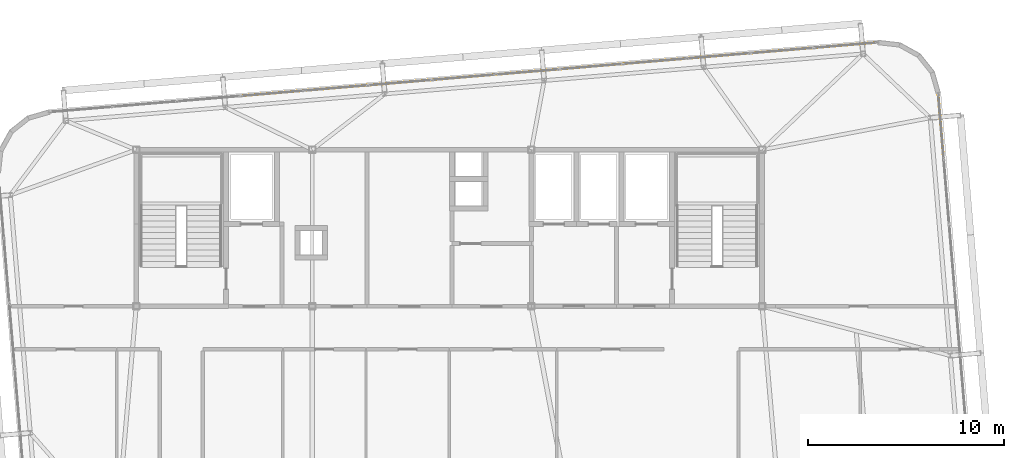
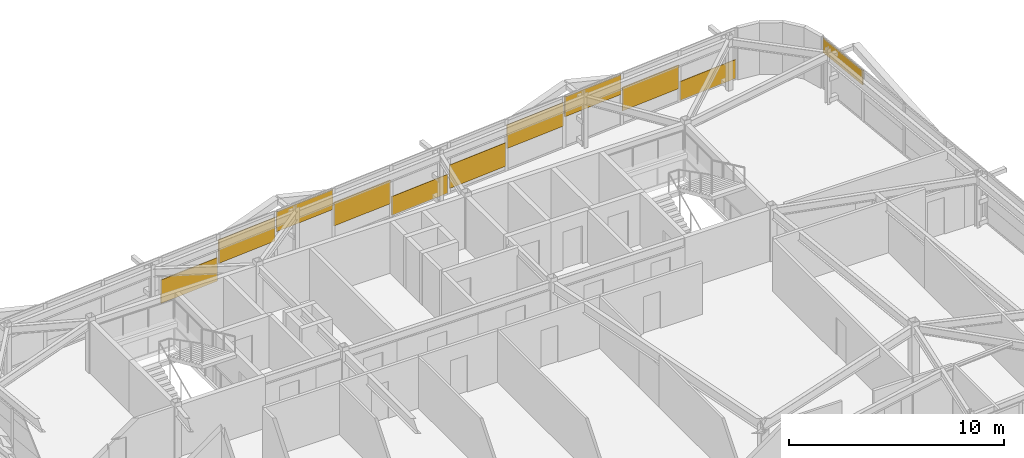
# One storey, part 46 of 46: 11 coverings.
"""IFC4 building model written with IfcOpenShell, lengths in metres."""

from ifc_helpers import new_model, si_unit, direction, frame, origin, origin_2d, place, context, subcontext, project, spatial, rectangle, extrude, source, transform, mapped, material, layer, layer_set, type_object, element, save


model = new_model("IFC4")

# Units and contexts
model_context = context("Model", 3, precision=1e-05, world=origin(), true_north=direction((0.0, 1.0)))
body_context = subcontext(model_context, "Body", "Model", "MODEL_VIEW")
ifc_project = project(units=[si_unit("LENGTHUNIT", "METRE"), si_unit("AREAUNIT", "SQUARE_METRE"), si_unit("VOLUMEUNIT", "CUBIC_METRE"), si_unit("PLANEANGLEUNIT", "RADIAN"), si_unit("MASSUNIT", "GRAM", prefix="KILO")], contexts=[model_context])

# Site, building, storey
site_placement = place(None, origin())
site = spatial("IfcSite", under=ifc_project, at=site_placement, CompositionType="ELEMENT")
building_placement = place(site_placement, origin())
building = spatial("IfcBuilding", under=site, at=building_placement, Name="Taldren Reach Tower", CompositionType="ELEMENT")
storey_placement = place(building_placement, frame((0.0, 0.0, 194.60009765625)))
storey = spatial("IfcBuildingStorey", under=building, at=storey_placement, Name="L59", CompositionType="ELEMENT", Elevation=194.60009765625)

# Coverings
ifc_material = material(Name="Pale Champagne Fluoropolymer Aluminium Spandrel Cladding", Category="aluminium")
ifc_layer = layer(ifc_material, 0.0439453125)
ifc_layer_set = layer_set([ifc_layer], Name="Pale Champagne Fluoropolymer Aluminium Spandrel Cladding")
covering_type = type_object("IfcCoveringType", Name="CV-CLAD-044", PredefinedType="CLADDING", material=ifc_layer_set)
shared_shape_1 = source(origin(), body_context, "Body", "SweptSolid", [
    extrude(rectangle(XDim=3.164306640625, YDim=0.0439453125, at=origin_2d()), origin(), (0.0, 0.0, 1.0), 1.075927734375),
])
covering_1_placement = place(storey_placement, frame((55.2685546875, 37.3427734375, 0.06005859375), z_axis=(0.0, 0.0, 1.0), x_axis=(-0.99649285657, -0.083677875247, 0.0)))
element("IfcCovering", 1, at=covering_1_placement, inside=storey, type_object=covering_type, Name="Diagrid closure cladding strip CW-5 panel 1.1 1", PredefinedType="CLADDING", context=body_context, shape_type="MappedRepresentation", body=[
    mapped(shared_shape_1, transform((0.0, 0.0, 0.0), scale=1.0)),
])
shared_shape_2 = source(origin(), body_context, "Body", "SweptSolid", [
    extrude(rectangle(XDim=3.19921875, YDim=0.0439453125, at=origin_2d()), origin(), (0.0, 0.0, 1.0), 1.3359375),
])
for number, where, z_axis, x_axis, name in (
    (2, (52.0283203125, 37.07080078125, 0.77099609375), (0.0, 0.0, 1.0), (-0.99649285657, -0.083677875247, 0.0), "Diagrid closure cladding strip CW-5 panel 2.1 1"),
    (3, (45.5126953125, 36.523681640625, 1.25048828125), (0.0, 0.0, 1.0), (-0.99649285657, -0.083677875247, 0.0), "Diagrid closure cladding strip CW-5 panel 4.1 1"),
    (4, (42.2548828125, 36.25, 0.279296875), (0.0, 0.0, 1.0), (-0.99649285657, -0.083677875247, 0.0), "Diagrid closure cladding strip CW-5 panel 5.1 1"),
    (5, (35.739501953125, 35.702880859375, 0.766845703125), (0.0, 0.0, 1.0), (-0.99649285657, -0.083677875247, 0.0), "Diagrid closure cladding strip CW-5 panel 7.1 1"),
    (6, (29.223876953125, 35.15576171875, 1.254638671875), (0.0, 0.0, 1.0), (-0.99649285657, -0.083677875247, 0.0), "Diagrid closure cladding strip CW-5 panel 9.1 1"),
    (7, (25.966064453125, 34.88232421875, 0.283447265625), (0.0, 0.0, 1.0), (-0.99649285657, -0.083677875247, 0.0), "Diagrid closure cladding strip CW-5 panel 10.1 1"),
):
    element("IfcCovering", number, at=place(storey_placement, frame(where, z_axis=z_axis, x_axis=x_axis)), inside=storey, type_object=covering_type, Name=name, PredefinedType="CLADDING", context=body_context, shape_type="MappedRepresentation", body=[
        mapped(shared_shape_2, transform((0.0, 0.0, 0.0), scale=1.0)),
    ])
shared_shape_3 = source(origin(), body_context, "Body", "SweptSolid", [
    extrude(rectangle(XDim=3.19921875, YDim=0.0439453125, at=origin_2d()), origin(), (0.0, 0.0, 1.0), 1.127685546875),
])
covering_2_placement = place(storey_placement, frame((48.7705078125, 36.797119140625, 1.7421875), z_axis=(0.0, 0.0, 1.0), x_axis=(-0.99649285657, -0.083677875247, 0.0)))
element("IfcCovering", 8, at=covering_2_placement, inside=storey, type_object=covering_type, Name="Diagrid closure cladding strip CW-5 panel 3.1 1", PredefinedType="CLADDING", context=body_context, shape_type="MappedRepresentation", body=[
    mapped(shared_shape_3, transform((0.0, 0.0, 0.0), scale=1.0)),
])
shared_shape_4 = source(origin(), body_context, "Body", "SweptSolid", [
    extrude(rectangle(XDim=3.19921875, YDim=0.0439453125, at=origin_2d()), origin(), (0.0, 0.0, 1.0), 1.07177734375),
])
covering_3_placement = place(storey_placement, frame((38.9970703125, 35.9765625, 0.059814453125), z_axis=(0.0, 0.0, 1.0), x_axis=(-0.99649285657, -0.083677875247, 0.0)))
element("IfcCovering", 9, at=covering_3_placement, inside=storey, type_object=covering_type, Name="Diagrid closure cladding strip CW-5 panel 6.1 1", PredefinedType="CLADDING", context=body_context, shape_type="MappedRepresentation", body=[
    mapped(shared_shape_4, transform((0.0, 0.0, 0.0), scale=1.0)),
])
shared_shape_5 = source(origin(), body_context, "Body", "SweptSolid", [
    extrude(rectangle(XDim=3.19921875, YDim=0.0439453125, at=origin_2d()), origin(), (0.0, 0.0, 1.0), 1.1318359375),
])
covering_4_placement = place(storey_placement, frame((32.481689453125, 35.429443359375, 1.738037109375), z_axis=(0.0, 0.0, 1.0), x_axis=(-0.99649285657, -0.083677875247, 0.0)))
element("IfcCovering", 10, at=covering_4_placement, inside=storey, type_object=covering_type, Name="Diagrid closure cladding strip CW-5 panel 8.1 1", PredefinedType="CLADDING", context=body_context, shape_type="MappedRepresentation", body=[
    mapped(shared_shape_5, transform((0.0, 0.0, 0.0), scale=1.0)),
])
shared_shape_6 = source(origin(), body_context, "Body", "SweptSolid", [
    extrude(rectangle(XDim=3.2451171875, YDim=0.0439453125, at=origin_2d()), origin(), (0.0, 0.0, 1.0), 0.829833984375),
])
covering_5_placement = place(storey_placement, frame((60.145751953125, 33.183837890625, 2.0400390625), z_axis=(0.0, 0.0, 1.0), x_axis=(-0.083677979808, 0.996492847789, 0.0)))
element("IfcCovering", 11, at=covering_5_placement, inside=storey, type_object=covering_type, Name="Diagrid closure cladding strip CW-5 panel 8.1 1", PredefinedType="CLADDING", context=body_context, shape_type="MappedRepresentation", body=[
    mapped(shared_shape_6, transform((0.0, 0.0, 0.0), scale=1.0)),
])

save(model, "model.ifc")
